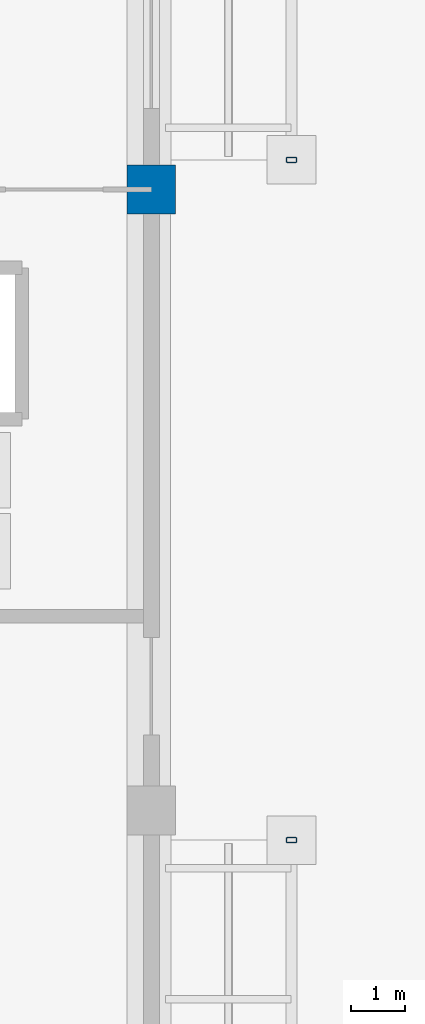
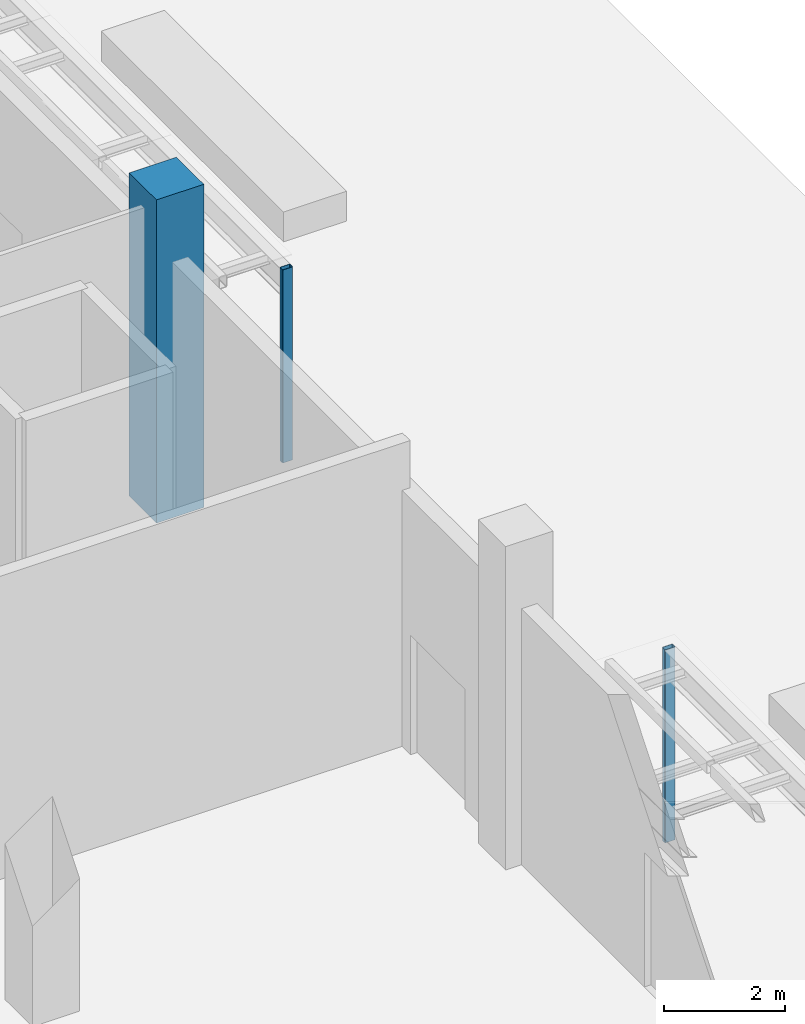
# One storey, part 14 of 39: 3 columns.
"""IFC4 building model written with IfcOpenShell, lengths in metres."""

from ifc_helpers import new_model, si_unit, direction, frame, origin, origin_2d, place, context, subcontext, project, spatial, rectangle, hollow_rectangle, extrude, material, material_profile, profile_set, type_object, element, save


model = new_model("IFC4")

# Units and contexts
model_context = context("Model", 3, precision=1e-05, world=origin(), true_north=direction((0.0, 1.0)))
body_context = subcontext(model_context, "Body", "Model", "MODEL_VIEW")
ifc_project = project(units=[si_unit("LENGTHUNIT", "METRE"), si_unit("AREAUNIT", "SQUARE_METRE"), si_unit("VOLUMEUNIT", "CUBIC_METRE"), si_unit("PLANEANGLEUNIT", "RADIAN"), si_unit("MASSUNIT", "GRAM", prefix="KILO")], contexts=[model_context])

# Site, building, storey
site_placement = place(None, origin())
site = spatial("IfcSite", under=ifc_project, at=site_placement, CompositionType="ELEMENT")
building_placement = place(site_placement, origin())
building = spatial("IfcBuilding", under=site, at=building_placement, Name="Brigalow Station Residences", CompositionType="ELEMENT")
storey_placement = place(building_placement, origin())
storey = spatial("IfcBuildingStorey", under=building, at=storey_placement, Name="L00", CompositionType="ELEMENT", Elevation=0.0)

# Columns
ifc_material_1 = material(Name="Steel Grade C450L0 to AS/NZS 1163", Category="steel")
ifc_material_profile_1 = material_profile(ifc_material_1, hollow_rectangle(XDim=0.10009765625, YDim=0.199951171875, WallThickness=0.009033203125, InnerFilletRadius=0.013427734375, OuterFilletRadius=0.0224609375, at=origin_2d()), Name="200x100x9.0RHS")
ifc_profile_set_1 = profile_set([ifc_material_profile_1], Name="Steel Grade C450L0 to AS/NZS 1163")
column_type_1 = type_object("IfcColumnType", Name="CANOPY POST 200x100x9.0RHS", PredefinedType="COLUMN", material=ifc_profile_set_1)
for number, where, z_axis, x_axis, name in (
    (1, (92.595458984375, 36.050048828125, -0.39990234375), (0.0, 0.0, 1.0), (0.0, 1.0, 0.0), "L00/canopy-post/E-entry-1"),
    (2, (92.595458984375, 23.449951171875, -0.39990234375), (0.0, 0.0, 1.0), (0.0, 1.0, 0.0), "L00/canopy-post/E-exit-2"),
):
    element("IfcColumn", number, at=place(storey_placement, frame(where, z_axis=z_axis, x_axis=x_axis)), inside=storey, type_object=column_type_1, Name=name, PredefinedType="COLUMN", context=body_context, shape_type="SweptSolid", body=[
        extrude(hollow_rectangle(XDim=0.10009765625, YDim=0.199951171875, WallThickness=0.009033203125, InnerFilletRadius=0.013427734375, OuterFilletRadius=0.0224609375, at=origin_2d()), origin(), (0.0, 0.0, 1.0), 3.8779296875),
    ])
ifc_material_2 = material(Name="Concrete C50", Category="concrete")
ifc_material_profile_2 = material_profile(ifc_material_2, rectangle(XDim=0.89990234375, YDim=0.89990234375, at=origin_2d()), Name="RC900x900")
ifc_profile_set_2 = profile_set([ifc_material_profile_2], Name="Concrete C50")
column_type_2 = type_object("IfcColumnType", Name="COLUMN 900x900 C50", PredefinedType="COLUMN", material=ifc_profile_set_2)
column_placement = place(storey_placement, frame((90.0, 35.5, 0.0), z_axis=(0.0, 0.0, 1.0), x_axis=(1.0, 0.0, 0.0)))
element("IfcColumn", 3, at=column_placement, inside=storey, type_object=column_type_2, Name="COLUMN D10 L00", PredefinedType="COLUMN", context=body_context, shape_type="SweptSolid", body=[
    extrude(rectangle(XDim=0.89990234375, YDim=0.89990234375, at=origin_2d()), origin(), (0.0, 0.0, 1.0), 6.5),
])

save(model, "model.ifc")
